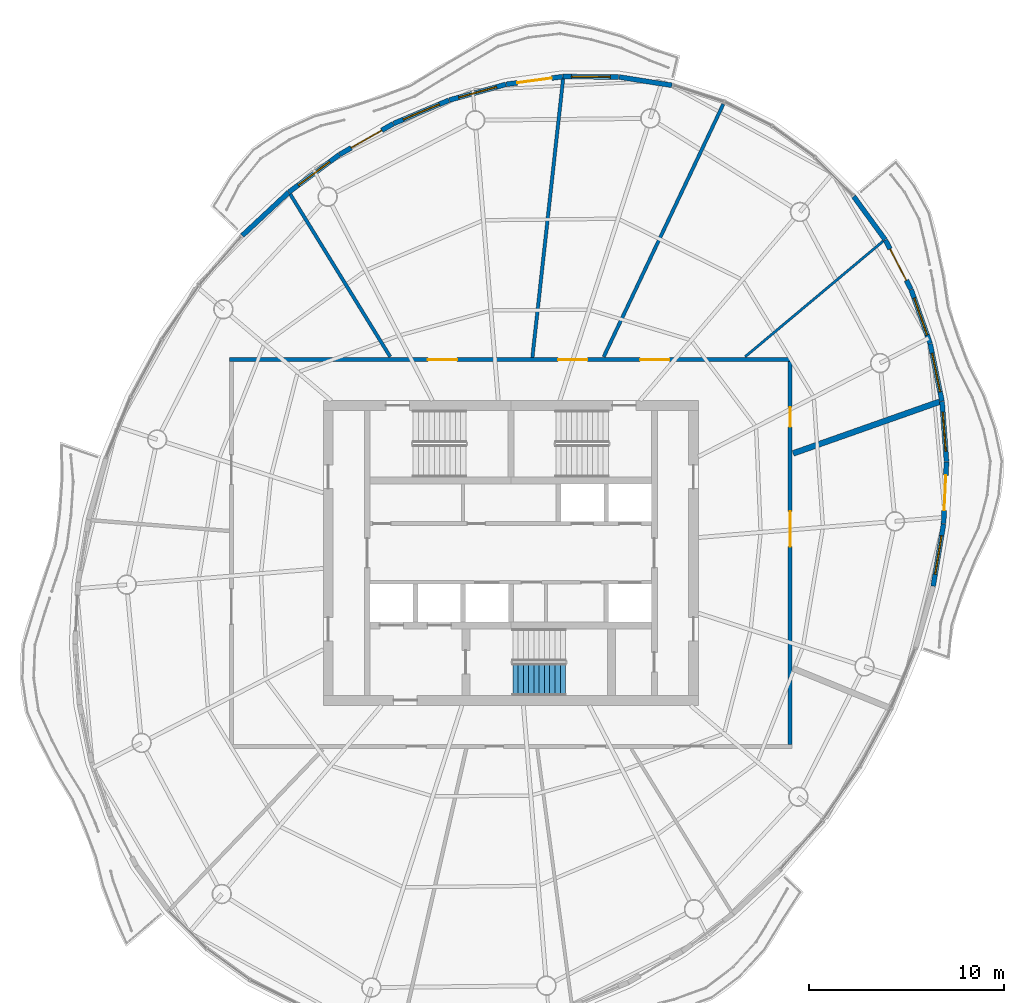
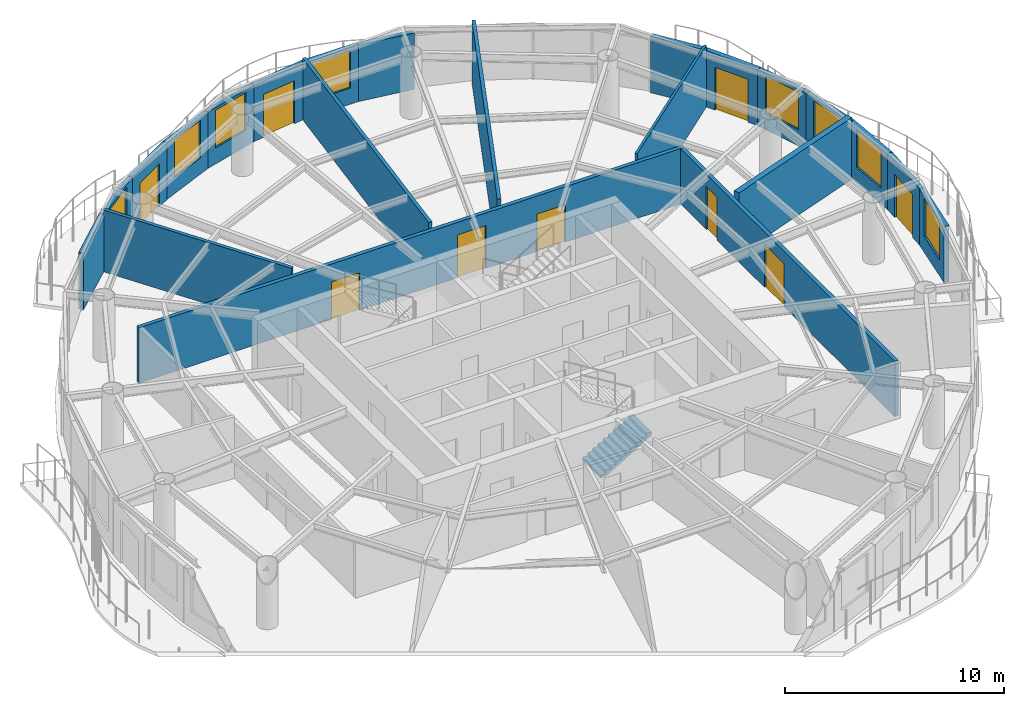
# One storey, part 10 of 14: 22 walls, 9 doors, 8 windows, 1 stair flight, 17 openings, 1 element without a shape of its own.
"""IFC4 building model written with IfcOpenShell, lengths in metres."""

from ifc_helpers import new_model, si_unit, direction, frame, frame_2d, origin, place, context, subcontext, project, spatial, polyline, rectangle, outline, extrude, material, layer, layer_set, type_object, element, fill, aggregate, save


model = new_model("IFC4")

# Units and contexts
model_context = context("Model", 3, precision=1e-05, world=origin(), true_north=direction((0.0, 1.0)))
body_context = subcontext(model_context, "Body", "Model", "MODEL_VIEW")
ifc_project = project(units=[si_unit("LENGTHUNIT", "METRE"), si_unit("AREAUNIT", "SQUARE_METRE"), si_unit("VOLUMEUNIT", "CUBIC_METRE"), si_unit("PLANEANGLEUNIT", "RADIAN"), si_unit("MASSUNIT", "GRAM", prefix="KILO")], contexts=[model_context])

# Site, building, storey
site_placement = place(None, origin())
site = spatial("IfcSite", under=ifc_project, at=site_placement, CompositionType="ELEMENT")
building_placement = place(site_placement, origin())
building = spatial("IfcBuilding", under=site, at=building_placement, Name="Vermilion Reach Broadcast Tower", CompositionType="ELEMENT")
storey_placement = place(building_placement, frame((0.0, 0.0, 268.5)))
storey = spatial("IfcBuildingStorey", under=building, at=storey_placement, Name="L66", CompositionType="ELEMENT", Elevation=268.5)

# Walls
ifc_material_1 = material(Name="Fire-rated plasterboard on steel stud", Category="steel")
ifc_layer_1 = layer(ifc_material_1, 0.125)
ifc_layer_set_1 = layer_set([ifc_layer_1], Name="Partition 125 fire-rated stud")
wall_type_1 = type_object("IfcWallType", Name="Partition 125 fire-rated stud", PredefinedType="PARTITIONING", material=ifc_layer_set_1)
wall_1_placement = place(storey_placement, frame((13.060791015625, 15.965087890625, 0.0), z_axis=(0.0, 0.0, 1.0), x_axis=(-0.766607537876, -0.642115941923, 0.0)))
element("IfcWall", 1, at=wall_1_placement, inside=storey, type_object=wall_type_1, Name="Partition 66.11", PredefinedType="PARTITIONING", context=body_context, shape_type="SweptSolid", body=[
    extrude(rectangle(XDim=9.21533203125, YDim=0.125, at=frame_2d((4.607666015625, 0.0))), origin(), (0.0, 0.0, 1.0), 3.449951171875),
])
ifc_material_2 = material(Name="Fire-rated block, plastered")
ifc_layer_2 = layer(ifc_material_2, 0.175048828125)
ifc_layer_set_2 = layer_set([ifc_layer_2], Name="Partition 175 fire-rated block")
wall_type_2 = type_object("IfcWallType", Name="Partition 175 fire-rated block", PredefinedType="PARTITIONING", material=ifc_layer_set_2)
wall_2_placement = place(storey_placement, frame((4.875732421875, 22.97412109375, 0.0), z_axis=(0.0, 0.0, 1.0), x_axis=(-0.427862697132, -0.903843743356, 0.0)))
element("IfcWall", 2, at=wall_2_placement, inside=storey, type_object=wall_type_2, Name="Partition 66.01", PredefinedType="PARTITIONING", context=body_context, shape_type="SweptSolid", body=[
    extrude(rectangle(XDim=14.31298828125, YDim=0.175048828125, at=frame_2d((7.156494140625, 0.0))), origin(), (0.0, 0.0, 1.0), 3.449951171875),
])
wall_3_placement = place(storey_placement, frame((-3.324951171875, 24.2626953125, 0.0), z_axis=(0.0, 0.0, 1.0), x_axis=(-0.109594321607, -0.99397640046, 0.0)))
element("IfcWall", 3, at=wall_3_placement, inside=storey, type_object=wall_type_2, Name="Partition 66.02", PredefinedType="PARTITIONING", context=body_context, shape_type="SweptSolid", body=[
    extrude(rectangle(XDim=14.339599609375, YDim=0.175048828125, at=frame_2d((7.169921875, 0.0))), origin(), (0.0, 0.0, 1.0), 3.449951171875),
])
wall_4_placement = place(storey_placement, frame((-17.294189453125, 18.36865234375, 0.0), z_axis=(0.0, 0.0, 1.0), x_axis=(0.523780906065, -0.851853016924, 0.0)))
element("IfcWall", 4, at=wall_4_placement, inside=storey, type_object=wall_type_2, Name="Partition 66.03", PredefinedType="PARTITIONING", context=body_context, shape_type="SweptSolid", body=[
    extrude(rectangle(XDim=9.770263671875, YDim=0.175048828125, at=frame_2d((4.88525390625, 0.0))), origin(), (0.0, 0.0, 1.0), 3.449951171875),
])
ifc_material_3 = material(Name="Double-leaf plasterboard on isolated steel stud", Category="steel")
ifc_layer_3 = layer(ifc_material_3, 0.300048828125)
ifc_layer_set_3 = layer_set([ifc_layer_3], Name="Partition 300 acoustic double leaf")
wall_type_3 = type_object("IfcWallType", Name="Partition 300 acoustic double leaf", PredefinedType="PARTITIONING", material=ifc_layer_set_3)
wall_5_placement = place(storey_placement, frame((15.94921875, 7.74365234375, 0.0), z_axis=(0.0, 0.0, 1.0), x_axis=(-0.943031701319, -0.332702885933, 0.0)))
element("IfcWall", 5, at=wall_5_placement, inside=storey, type_object=wall_type_3, Name="Partition 66.10", PredefinedType="PARTITIONING", context=body_context, shape_type="SweptSolid", body=[
    extrude(rectangle(XDim=7.952392578125, YDim=0.300048828125, at=frame_2d((3.97607421875, 0.0))), origin(), (0.0, 0.0, 1.0), 3.449951171875),
])
ifc_material_4 = material(Name="Terracotta rainscreen cladding", Category="masonry")
ifc_layer_4 = layer(ifc_material_4, 0.25)
ifc_layer_set_4 = layer_set([ifc_layer_4], Name="Terracotta rainscreen wall 250")
wall_type_4 = type_object("IfcWallType", Name="Terracotta rainscreen wall 250", PredefinedType="SOLIDWALL", material=ifc_layer_set_4)
wall_6_placement = place(storey_placement, frame((2.244140625, 23.94091796875, 0.0), z_axis=(0.0, 0.0, 1.0), x_axis=(-0.987863424028, 0.155324999492, 0.0)))
element("IfcWall", 6, at=wall_6_placement, inside=storey, type_object=wall_type_4, Name="External wall L66 02", PredefinedType="SOLIDWALL", context=body_context, shape_type="SweptSolid", body=[
    extrude(rectangle(XDim=2.7333984375, YDim=0.25, at=frame_2d((1.36669921875, 0.0))), origin(), (0.0, 0.0, 1.0), 3.14990234375),
])

# Wall, opening, window
wall_7_placement = place(storey_placement, frame((-0.482421875, 24.36767578125, 0.0), z_axis=(0.0, 0.0, 1.0), x_axis=(-0.999975721993, 0.006968172185, 0.0)))
wall_7 = element("IfcWall", 7, at=wall_7_placement, inside=storey, type_object=wall_type_4, Name="External wall L66 03", PredefinedType="SOLIDWALL", context=body_context, shape_type="SweptSolid", body=[
    extrude(rectangle(XDim=2.837890625, YDim=0.25, at=frame_2d((1.4189453125, 0.0))), origin(), (0.0, 0.0, 1.0), 3.14990234375),
])
opening_1_placement = place(wall_7_placement, frame((0.4189453125, 0.0, 0.89990234375)))
opening_1 = element("IfcOpeningElement", 8, at=opening_1_placement, cuts=wall_7, Name="Opening W03", PredefinedType="OPENING", context=body_context, shape_type="SweptSolid", body=[
    extrude(rectangle(XDim=2.0, YDim=2.10009765625, at=frame_2d((1.0, 1.050048828125))), frame((0.0, 0.135009765625, 0.0), z_axis=(0.0, -1.0, 0.0), x_axis=(1.0, 0.0, 0.0)), (0.0, 0.0, 1.0), 0.27001953125),
])
ifc_material_5 = material(Name="Low-e laminated clear glass in aluminium frame", Category="aluminium")
window_type = type_object("IfcWindowType", Name="Punched window 2000 x 2100 sill 900", PartitioningType="SINGLE_PANEL", PredefinedType="WINDOW", material=ifc_material_5)
window_1_placement = place(opening_1_placement, origin())
window_1 = element("IfcWindow", 9, at=window_1_placement, inside=storey, type_object=window_type, Name="Window L66 03", OverallHeight=2.10009765625, OverallWidth=2.0, PartitioningType="SINGLE_PANEL", PredefinedType="WINDOW", context=body_context, shape_type="SweptSolid", body=[
    extrude(rectangle(XDim=2.0, YDim=2.10009765625, at=frame_2d((1.0, 1.050048828125))), frame((0.0, 0.030029296875, 0.0), z_axis=(0.0, -1.0, 0.0), x_axis=(1.0, 0.0, 0.0)), (0.0, 0.0, 1.0), 0.06005859375),
])
fill(opening_1, window_1)

# Wall, opening, door
wall_8_placement = place(storey_placement, frame((-3.345947265625, 24.3857421875, 0.0), z_axis=(0.0, 0.0, 1.0), x_axis=(-0.990855140329, -0.134929948061, 0.0)))
wall_8 = element("IfcWall", 10, at=wall_8_placement, inside=storey, type_object=wall_type_4, Name="External wall L66 04", PredefinedType="SOLIDWALL", context=body_context, shape_type="SweptSolid", body=[
    extrude(rectangle(XDim=2.9130859375, YDim=0.25, at=frame_2d((1.45654296875, 0.0))), origin(), (0.0, 0.0, 1.0), 3.14990234375),
])
opening_2_placement = place(wall_8_placement, frame((0.556884765625, 0.0, 0.0)))
opening_2 = element("IfcOpeningElement", 11, at=opening_2_placement, cuts=wall_8, Name="Opening D70", PredefinedType="OPENING", context=body_context, shape_type="SweptSolid", body=[
    extrude(rectangle(XDim=1.800048828125, YDim=2.39990234375, at=frame_2d((0.89990234375, 1.199951171875))), frame((0.0, 0.135009765625, 0.0), z_axis=(0.0, -1.0, 0.0), x_axis=(1.0, 0.0, 0.0)), (0.0, 0.0, 1.0), 0.27001953125),
])
ifc_material_6 = material(Name="Low-e laminated clear glass in aluminium frame", Category="aluminium")
door_type_1 = type_object("IfcDoorType", Name="Balcony sliding door 1800 x 2400", OperationType="DOUBLE_DOOR_SLIDING", PredefinedType="DOOR", material=ifc_material_6)
door_1_placement = place(opening_2_placement, origin())
door_1 = element("IfcDoor", 12, at=door_1_placement, inside=storey, type_object=door_type_1, Name="Balcony door L66 run 01", OperationType="DOUBLE_DOOR_SLIDING", OverallHeight=2.39990234375, OverallWidth=1.800048828125, PredefinedType="DOOR", context=body_context, shape_type="SweptSolid", body=[
    extrude(rectangle(XDim=1.800048828125, YDim=2.39990234375, at=frame_2d((0.89990234375, 1.199951171875))), frame((0.0, 0.02490234375, 0.0), z_axis=(0.0, -1.0, 0.0), x_axis=(1.0, 0.0, 0.0)), (0.0, 0.0, 1.0), 0.050048828125),
])
fill(opening_2, door_1)

# Wall, opening, window
wall_9_placement = place(storey_placement, frame((-6.2568359375, 23.987548828125, 0.0), z_axis=(0.0, 0.0, 1.0), x_axis=(-0.963614779494, -0.267294887231, 0.0)))
wall_9 = element("IfcWall", 13, at=wall_9_placement, inside=storey, type_object=wall_type_4, Name="External wall L66 05", PredefinedType="SOLIDWALL", context=body_context, shape_type="SweptSolid", body=[
    extrude(rectangle(XDim=2.994873046875, YDim=0.25, at=frame_2d((1.49755859375, 0.0))), origin(), (0.0, 0.0, 1.0), 3.14990234375),
])
opening_3_placement = place(wall_9_placement, frame((0.49755859375, 0.0, 0.89990234375)))
opening_3 = element("IfcOpeningElement", 14, at=opening_3_placement, cuts=wall_9, Name="Opening W03", PredefinedType="OPENING", context=body_context, shape_type="SweptSolid", body=[
    extrude(rectangle(XDim=2.0, YDim=2.10009765625, at=frame_2d((1.0, 1.050048828125))), frame((0.0, 0.135009765625, 0.0), z_axis=(0.0, -1.0, 0.0), x_axis=(1.0, 0.0, 0.0)), (0.0, 0.0, 1.0), 0.27001953125),
])
window_2_placement = place(opening_3_placement, origin())
window_2 = element("IfcWindow", 15, at=window_2_placement, inside=storey, type_object=window_type, Name="Window L66 05", OverallHeight=2.10009765625, OverallWidth=2.0, PartitioningType="SINGLE_PANEL", PredefinedType="WINDOW", context=body_context, shape_type="SweptSolid", body=[
    extrude(rectangle(XDim=2.0, YDim=2.10009765625, at=frame_2d((1.0, 1.050048828125))), frame((0.0, 0.030029296875, 0.0), z_axis=(0.0, -1.0, 0.0), x_axis=(1.0, 0.0, 0.0)), (0.0, 0.0, 1.0), 0.06005859375),
])
fill(opening_3, window_2)

wall_10_placement = place(storey_placement, frame((-9.16552734375, 23.17919921875, 0.0), z_axis=(0.0, 0.0, 1.0), x_axis=(-0.921479990726, -0.388425831648, 0.0)))
wall_10 = element("IfcWall", 16, at=wall_10_placement, inside=storey, type_object=wall_type_4, Name="External wall L66 06", PredefinedType="SOLIDWALL", context=body_context, shape_type="SweptSolid", body=[
    extrude(rectangle(XDim=3.077392578125, YDim=0.25, at=frame_2d((1.53857421875, 0.0))), origin(), (0.0, 0.0, 1.0), 3.14990234375),
])
opening_4_placement = place(wall_10_placement, frame((0.53857421875, 0.0, 0.89990234375)))
opening_4 = element("IfcOpeningElement", 17, at=opening_4_placement, cuts=wall_10, Name="Opening W03", PredefinedType="OPENING", context=body_context, shape_type="SweptSolid", body=[
    extrude(rectangle(XDim=2.0, YDim=2.10009765625, at=frame_2d((1.0, 1.050048828125))), frame((0.0, 0.135009765625, 0.0), z_axis=(0.0, -1.0, 0.0), x_axis=(1.0, 0.0, 0.0)), (0.0, 0.0, 1.0), 0.27001953125),
])
window_3_placement = place(opening_4_placement, origin())
window_3 = element("IfcWindow", 18, at=window_3_placement, inside=storey, type_object=window_type, Name="Window L66 06", OverallHeight=2.10009765625, OverallWidth=2.0, PartitioningType="SINGLE_PANEL", PredefinedType="WINDOW", context=body_context, shape_type="SweptSolid", body=[
    extrude(rectangle(XDim=2.0, YDim=2.10009765625, at=frame_2d((1.0, 1.050048828125))), frame((0.0, 0.030029296875, 0.0), z_axis=(0.0, -1.0, 0.0), x_axis=(1.0, 0.0, 0.0)), (0.0, 0.0, 1.0), 0.06005859375),
])
fill(opening_4, window_3)

# Wall, opening, door
wall_11_placement = place(storey_placement, frame((-12.02197265625, 21.9736328125, 0.0), z_axis=(0.0, 0.0, 1.0), x_axis=(-0.867241340308, -0.497887997104, 0.0)))
wall_11 = element("IfcWall", 19, at=wall_11_placement, inside=storey, type_object=wall_type_4, Name="External wall L66 07", PredefinedType="SOLIDWALL", context=body_context, shape_type="SweptSolid", body=[
    extrude(rectangle(XDim=3.155029296875, YDim=0.25, at=frame_2d((1.57763671875, 0.0))), origin(), (0.0, 0.0, 1.0), 3.14990234375),
])
opening_5_placement = place(wall_11_placement, frame((0.677001953125, 0.0, 0.0)))
opening_5 = element("IfcOpeningElement", 20, at=opening_5_placement, cuts=wall_11, Name="Opening D70", PredefinedType="OPENING", context=body_context, shape_type="SweptSolid", body=[
    extrude(rectangle(XDim=1.800048828125, YDim=2.39990234375, at=frame_2d((0.89990234375, 1.199951171875))), frame((0.0, 0.135009765625, 0.0), z_axis=(0.0, -1.0, 0.0), x_axis=(1.0, 0.0, 0.0)), (0.0, 0.0, 1.0), 0.27001953125),
])
door_2_placement = place(opening_5_placement, origin())
door_2 = element("IfcDoor", 21, at=door_2_placement, inside=storey, type_object=door_type_1, Name="Balcony door L66 run 02", OperationType="DOUBLE_DOOR_SLIDING", OverallHeight=2.39990234375, OverallWidth=1.800048828125, PredefinedType="DOOR", context=body_context, shape_type="SweptSolid", body=[
    extrude(rectangle(XDim=1.800048828125, YDim=2.39990234375, at=frame_2d((0.89990234375, 1.199951171875))), frame((0.0, 0.02490234375, 0.0), z_axis=(0.0, -1.0, 0.0), x_axis=(1.0, 0.0, 0.0)), (0.0, 0.0, 1.0), 0.050048828125),
])
fill(opening_5, door_2)

# Wall, opening, window
wall_12_placement = place(storey_placement, frame((-14.77685546875, 20.390625, 0.0), z_axis=(0.0, 0.0, 1.0), x_axis=(-0.803243022616, -0.595651447256, 0.0)))
wall_12 = element("IfcWall", 22, at=wall_12_placement, inside=storey, type_object=wall_type_4, Name="External wall L66 08", PredefinedType="SOLIDWALL", context=body_context, shape_type="SweptSolid", body=[
    extrude(rectangle(XDim=3.222412109375, YDim=0.25, at=frame_2d((1.611328125, 0.0))), origin(), (0.0, 0.0, 1.0), 3.14990234375),
])
opening_6_placement = place(wall_12_placement, frame((0.611083984375, 0.0, 0.89990234375)))
opening_6 = element("IfcOpeningElement", 23, at=opening_6_placement, cuts=wall_12, Name="Opening W03", PredefinedType="OPENING", context=body_context, shape_type="SweptSolid", body=[
    extrude(rectangle(XDim=2.0, YDim=2.10009765625, at=frame_2d((1.0, 1.050048828125))), frame((0.0, 0.135009765625, 0.0), z_axis=(0.0, -1.0, 0.0), x_axis=(1.0, 0.0, 0.0)), (0.0, 0.0, 1.0), 0.27001953125),
])
window_4_placement = place(opening_6_placement, origin())
window_4 = element("IfcWindow", 24, at=window_4_placement, inside=storey, type_object=window_type, Name="Window L66 08", OverallHeight=2.10009765625, OverallWidth=2.0, PartitioningType="SINGLE_PANEL", PredefinedType="WINDOW", context=body_context, shape_type="SweptSolid", body=[
    extrude(rectangle(XDim=2.0, YDim=2.10009765625, at=frame_2d((1.0, 1.050048828125))), frame((0.0, 0.030029296875, 0.0), z_axis=(0.0, -1.0, 0.0), x_axis=(1.0, 0.0, 0.0)), (0.0, 0.0, 1.0), 0.06005859375),
])
fill(opening_6, window_4)

# Wall
wall_13_placement = place(storey_placement, frame((-17.38232421875, 18.45703125, 0.0), z_axis=(0.0, 0.0, 1.0), x_axis=(-0.731190882078, -0.682172920868, 0.0)))
element("IfcWall", 25, at=wall_13_placement, inside=storey, type_object=wall_type_4, Name="External wall L66 09", PredefinedType="SOLIDWALL", context=body_context, shape_type="SweptSolid", body=[
    extrude(rectangle(XDim=3.232421875, YDim=0.25, at=frame_2d((1.6162109375, 0.0))), origin(), (0.0, 0.0, 1.0), 3.14990234375),
])

# Wall, opening, window
wall_14_placement = place(storey_placement, frame((15.621337890625, -1.695556640625, 0.0), z_axis=(0.0, 0.0, 1.0), x_axis=(0.163956663746, 0.986467542504, 0.0)))
wall_14 = element("IfcWall", 26, at=wall_14_placement, inside=storey, type_object=wall_type_4, Name="External wall L66 39", PredefinedType="SOLIDWALL", context=body_context, shape_type="SweptSolid", body=[
    extrude(rectangle(XDim=3.222412109375, YDim=0.25, at=frame_2d((1.611328125, 0.0))), origin(), (0.0, 0.0, 1.0), 3.14990234375),
])
opening_7_placement = place(wall_14_placement, frame((0.611083984375, 0.0, 0.89990234375)))
opening_7 = element("IfcOpeningElement", 27, at=opening_7_placement, cuts=wall_14, Name="Opening W03", PredefinedType="OPENING", context=body_context, shape_type="SweptSolid", body=[
    extrude(rectangle(XDim=2.0, YDim=2.10009765625, at=frame_2d((1.0, 1.050048828125))), frame((0.0, 0.135009765625, 0.0), z_axis=(0.0, -1.0, 0.0), x_axis=(1.0, 0.0, 0.0)), (0.0, 0.0, 1.0), 0.27001953125),
])
window_5_placement = place(opening_7_placement, origin())
window_5 = element("IfcWindow", 28, at=window_5_placement, inside=storey, type_object=window_type, Name="Window L66 39", OverallHeight=2.10009765625, OverallWidth=2.0, PartitioningType="SINGLE_PANEL", PredefinedType="WINDOW", context=body_context, shape_type="SweptSolid", body=[
    extrude(rectangle(XDim=2.0, YDim=2.10009765625, at=frame_2d((1.0, 1.050048828125))), frame((0.0, 0.030029296875, 0.0), z_axis=(0.0, -1.0, 0.0), x_axis=(1.0, 0.0, 0.0)), (0.0, 0.0, 1.0), 0.06005859375),
])
fill(opening_7, window_5)

# Wall, opening, door
wall_15_placement = place(storey_placement, frame((16.152099609375, 1.505615234375, 0.0), z_axis=(0.0, 0.0, 1.0), x_axis=(0.047748991173, 0.998859366398, 0.0)))
wall_15 = element("IfcWall", 29, at=wall_15_placement, inside=storey, type_object=wall_type_4, Name="External wall L66 40", PredefinedType="SOLIDWALL", context=body_context, shape_type="SweptSolid", body=[
    extrude(rectangle(XDim=3.15478515625, YDim=0.25, at=frame_2d((1.577392578125, 0.0))), origin(), (0.0, 0.0, 1.0), 3.14990234375),
])
opening_8_placement = place(wall_15_placement, frame((0.677001953125, 0.0, 0.0)))
opening_8 = element("IfcOpeningElement", 30, at=opening_8_placement, cuts=wall_15, Name="Opening D70", PredefinedType="OPENING", context=body_context, shape_type="SweptSolid", body=[
    extrude(rectangle(XDim=1.800048828125, YDim=2.39990234375, at=frame_2d((0.89990234375, 1.199951171875))), frame((0.0, 0.135009765625, 0.0), z_axis=(0.0, -1.0, 0.0), x_axis=(1.0, 0.0, 0.0)), (0.0, 0.0, 1.0), 0.27001953125),
])
door_3_placement = place(opening_8_placement, origin())
door_3 = element("IfcDoor", 31, at=door_3_placement, inside=storey, type_object=door_type_1, Name="Balcony door L66 run 10", OperationType="DOUBLE_DOOR_SLIDING", OverallHeight=2.39990234375, OverallWidth=1.800048828125, PredefinedType="DOOR", context=body_context, shape_type="SweptSolid", body=[
    extrude(rectangle(XDim=1.800048828125, YDim=2.39990234375, at=frame_2d((0.89990234375, 1.199951171875))), frame((0.0, 0.02490234375, 0.0), z_axis=(0.0, -1.0, 0.0), x_axis=(1.0, 0.0, 0.0)), (0.0, 0.0, 1.0), 0.050048828125),
])
fill(opening_8, door_3)

# Wall, opening, window
wall_16_placement = place(storey_placement, frame((16.302490234375, 4.679931640625, 0.0), z_axis=(0.0, 0.0, 1.0), x_axis=(-0.074336319404, 0.997233228296, 0.0)))
wall_16 = element("IfcWall", 32, at=wall_16_placement, inside=storey, type_object=wall_type_4, Name="External wall L66 41", PredefinedType="SOLIDWALL", context=body_context, shape_type="SweptSolid", body=[
    extrude(rectangle(XDim=3.077392578125, YDim=0.25, at=frame_2d((1.53857421875, 0.0))), origin(), (0.0, 0.0, 1.0), 3.14990234375),
])
opening_9_placement = place(wall_16_placement, frame((0.53857421875, 0.0, 0.89990234375)))
opening_9 = element("IfcOpeningElement", 33, at=opening_9_placement, cuts=wall_16, Name="Opening W03", PredefinedType="OPENING", context=body_context, shape_type="SweptSolid", body=[
    extrude(rectangle(XDim=2.0, YDim=2.10009765625, at=frame_2d((1.0, 1.050048828125))), frame((0.0, 0.135009765625, 0.0), z_axis=(0.0, -1.0, 0.0), x_axis=(1.0, 0.0, 0.0)), (0.0, 0.0, 1.0), 0.27001953125),
])
window_6_placement = place(opening_9_placement, origin())
window_6 = element("IfcWindow", 34, at=window_6_placement, inside=storey, type_object=window_type, Name="Window L66 41", OverallHeight=2.10009765625, OverallWidth=2.0, PartitioningType="SINGLE_PANEL", PredefinedType="WINDOW", context=body_context, shape_type="SweptSolid", body=[
    extrude(rectangle(XDim=2.0, YDim=2.10009765625, at=frame_2d((1.0, 1.050048828125))), frame((0.0, 0.030029296875, 0.0), z_axis=(0.0, -1.0, 0.0), x_axis=(1.0, 0.0, 0.0)), (0.0, 0.0, 1.0), 0.06005859375),
])
fill(opening_9, window_6)

wall_17_placement = place(storey_placement, frame((16.070556640625, 7.772705078125, 0.0), z_axis=(0.0, 0.0, 1.0), x_axis=(-0.201427510103, 0.979503424279, 0.0)))
wall_17 = element("IfcWall", 35, at=wall_17_placement, inside=storey, type_object=wall_type_4, Name="External wall L66 42", PredefinedType="SOLIDWALL", context=body_context, shape_type="SweptSolid", body=[
    extrude(rectangle(XDim=2.994873046875, YDim=0.25, at=frame_2d((1.49755859375, 0.0))), origin(), (0.0, 0.0, 1.0), 3.14990234375),
])
opening_10_placement = place(wall_17_placement, frame((0.49755859375, 0.0, 0.89990234375)))
opening_10 = element("IfcOpeningElement", 36, at=opening_10_placement, cuts=wall_17, Name="Opening W03", PredefinedType="OPENING", context=body_context, shape_type="SweptSolid", body=[
    extrude(rectangle(XDim=2.0, YDim=2.10009765625, at=frame_2d((1.0, 1.050048828125))), frame((0.0, 0.135009765625, 0.0), z_axis=(0.0, -1.0, 0.0), x_axis=(1.0, 0.0, 0.0)), (0.0, 0.0, 1.0), 0.27001953125),
])
window_7_placement = place(opening_10_placement, origin())
window_7 = element("IfcWindow", 37, at=window_7_placement, inside=storey, type_object=window_type, Name="Window L66 42", OverallHeight=2.10009765625, OverallWidth=2.0, PartitioningType="SINGLE_PANEL", PredefinedType="WINDOW", context=body_context, shape_type="SweptSolid", body=[
    extrude(rectangle(XDim=2.0, YDim=2.10009765625, at=frame_2d((1.0, 1.050048828125))), frame((0.0, 0.030029296875, 0.0), z_axis=(0.0, -1.0, 0.0), x_axis=(1.0, 0.0, 0.0)), (0.0, 0.0, 1.0), 0.06005859375),
])
fill(opening_10, window_7)

wall_18_placement = place(storey_placement, frame((15.460693359375, 10.730224609375, 0.0), z_axis=(0.0, 0.0, 1.0), x_axis=(-0.331522283712, 0.943447388784, 0.0)))
wall_18 = element("IfcWall", 38, at=wall_18_placement, inside=storey, type_object=wall_type_4, Name="External wall L66 43", PredefinedType="SOLIDWALL", context=body_context, shape_type="SweptSolid", body=[
    extrude(rectangle(XDim=2.913330078125, YDim=0.25, at=frame_2d((1.45654296875, 0.0))), origin(), (0.0, 0.0, 1.0), 3.14990234375),
])
opening_11_placement = place(wall_18_placement, frame((0.45654296875, 0.0, 0.89990234375)))
opening_11 = element("IfcOpeningElement", 39, at=opening_11_placement, cuts=wall_18, Name="Opening W03", PredefinedType="OPENING", context=body_context, shape_type="SweptSolid", body=[
    extrude(rectangle(XDim=2.0, YDim=2.10009765625, at=frame_2d((1.0, 1.050048828125))), frame((0.0, 0.135009765625, 0.0), z_axis=(0.0, -1.0, 0.0), x_axis=(1.0, 0.0, 0.0)), (0.0, 0.0, 1.0), 0.27001953125),
])
window_8_placement = place(opening_11_placement, origin())
window_8 = element("IfcWindow", 40, at=window_8_placement, inside=storey, type_object=window_type, Name="Window L66 43", OverallHeight=2.10009765625, OverallWidth=2.0, PartitioningType="SINGLE_PANEL", PredefinedType="WINDOW", context=body_context, shape_type="SweptSolid", body=[
    extrude(rectangle(XDim=2.0, YDim=2.10009765625, at=frame_2d((1.0, 1.050048828125))), frame((0.0, 0.030029296875, 0.0), z_axis=(0.0, -1.0, 0.0), x_axis=(1.0, 0.0, 0.0)), (0.0, 0.0, 1.0), 0.06005859375),
])
fill(opening_11, window_8)

# Wall, opening, door
wall_19_placement = place(storey_placement, frame((14.484619140625, 13.502197265625, 0.0), z_axis=(0.0, 0.0, 1.0), x_axis=(-0.462051428088, 0.886853132036, 0.0)))
wall_19 = element("IfcWall", 41, at=wall_19_placement, inside=storey, type_object=wall_type_4, Name="External wall L66 44", PredefinedType="SOLIDWALL", context=body_context, shape_type="SweptSolid", body=[
    extrude(rectangle(XDim=2.837890625, YDim=0.25, at=frame_2d((1.4189453125, 0.0))), origin(), (0.0, 0.0, 1.0), 3.14990234375),
])
opening_12_placement = place(wall_19_placement, frame((0.51904296875, 0.0, 0.0)))
opening_12 = element("IfcOpeningElement", 42, at=opening_12_placement, cuts=wall_19, Name="Opening D70", PredefinedType="OPENING", context=body_context, shape_type="SweptSolid", body=[
    extrude(rectangle(XDim=1.800048828125, YDim=2.39990234375, at=frame_2d((0.89990234375, 1.199951171875))), frame((0.0, 0.135009765625, 0.0), z_axis=(0.0, -1.0, 0.0), x_axis=(1.0, 0.0, 0.0)), (0.0, 0.0, 1.0), 0.27001953125),
])
door_4_placement = place(opening_12_placement, origin())
door_4 = element("IfcDoor", 43, at=door_4_placement, inside=storey, type_object=door_type_1, Name="Balcony door L66 run 11", OperationType="DOUBLE_DOOR_SLIDING", OverallHeight=2.39990234375, OverallWidth=1.800048828125, PredefinedType="DOOR", context=body_context, shape_type="SweptSolid", body=[
    extrude(rectangle(XDim=1.800048828125, YDim=2.39990234375, at=frame_2d((0.89990234375, 1.199951171875))), frame((0.0, 0.02490234375, 0.0), z_axis=(0.0, -1.0, 0.0), x_axis=(1.0, 0.0, 0.0)), (0.0, 0.0, 1.0), 0.050048828125),
])
fill(opening_12, door_4)

# Wall
wall_20_placement = place(storey_placement, frame((13.159423828125, 16.04150390625, 0.0), z_axis=(0.0, 0.0, 1.0), x_axis=(-0.588607099097, 0.808419249457, 0.0)))
element("IfcWall", 44, at=wall_20_placement, inside=storey, type_object=wall_type_4, Name="External wall L66 45", PredefinedType="SOLIDWALL", context=body_context, shape_type="SweptSolid", body=[
    extrude(rectangle(XDim=2.7333984375, YDim=0.25, at=frame_2d((1.36669921875, 0.0))), origin(), (0.0, 0.0, 1.0), 3.14990234375),
])

# Wall, openings, doors
ifc_material_7 = material(Name="Fire-rated gypsum board partition")
ifc_layer_5 = layer(ifc_material_7, 0.199951171875)
ifc_layer_set_5 = layer_set([ifc_layer_5], Name="Under girder: Corridor wall 200 fire-rated")
wall_type_5 = type_object("IfcWallType", Name="Under girder: Corridor wall 200 fire-rated", PredefinedType="PARTITIONING", material=ifc_layer_set_5)
wall_21_placement = place(storey_placement, frame((-20.39990234375, 9.89990234375, 0.0), z_axis=(0.0, 0.0, 1.0), x_axis=(1.0, 0.0, 0.0)))
wall_21 = element("IfcWall", 45, at=wall_21_placement, inside=storey, type_object=wall_type_5, Name="Corridor wall 66.N", PredefinedType="PARTITIONING", context=body_context, shape_type="SweptSolid", body=[
    extrude(rectangle(XDim=28.7998046875, YDim=0.199951171875, at=frame_2d((14.39990234375, 0.0))), origin(), (0.0, 0.0, 1.0), 3.10009765625),
])
opening_13_placement = place(wall_21_placement, frame((16.819580078125, 0.0, 0.0)))
opening_13 = element("IfcOpeningElement", 46, at=opening_13_placement, cuts=wall_21, Name="Opening D25", PredefinedType="OPENING", context=body_context, shape_type="SweptSolid", body=[
    extrude(rectangle(XDim=1.5, YDim=2.39990234375, at=frame_2d((0.75, 1.199951171875))), frame((0.0, 0.10986328125, 0.0), z_axis=(0.0, -1.0, 0.0), x_axis=(1.0, 0.0, 0.0)), (0.0, 0.0, 1.0), 0.219970703125),
])
opening_14_placement = place(wall_21_placement, frame((10.151611328125, 0.0, 0.0)))
opening_14 = element("IfcOpeningElement", 47, at=opening_14_placement, cuts=wall_21, Name="Opening D24", PredefinedType="OPENING", context=body_context, shape_type="SweptSolid", body=[
    extrude(rectangle(XDim=1.5, YDim=2.10009765625, at=frame_2d((0.75, 1.050048828125))), frame((0.0, 0.10986328125, 0.0), z_axis=(0.0, -1.0, 0.0), x_axis=(1.0, 0.0, 0.0)), (0.0, 0.0, 1.0), 0.219970703125),
])
opening_15_placement = place(wall_21_placement, frame((21.0205078125, 0.0, 0.0)))
opening_15 = element("IfcOpeningElement", 48, at=opening_15_placement, cuts=wall_21, Name="Opening D24", PredefinedType="OPENING", context=body_context, shape_type="SweptSolid", body=[
    extrude(rectangle(XDim=1.5, YDim=2.10009765625, at=frame_2d((0.75, 1.050048828125))), frame((0.0, 0.10986328125, 0.0), z_axis=(0.0, -1.0, 0.0), x_axis=(1.0, 0.0, 0.0)), (0.0, 0.0, 1.0), 0.219970703125),
])
ifc_material_8 = material(Name="Timber door leaf", Category="wood")
door_type_2 = type_object("IfcDoorType", Name="Door pair 1500x2100", OperationType="NOTDEFINED", PredefinedType="DOOR", material=ifc_material_8)
door_5_placement = place(opening_14_placement, origin())
door_5 = element("IfcDoor", 49, at=door_5_placement, inside=storey, type_object=door_type_2, Name="Door 66.02", OperationType="DOUBLE_DOOR_SINGLE_SWING", OverallHeight=2.10009765625, OverallWidth=1.5, PredefinedType="DOOR", context=body_context, shape_type="SweptSolid", body=[
    extrude(rectangle(XDim=1.5, YDim=2.10009765625, at=frame_2d((0.75, 1.050048828125))), frame((0.0, 0.02490234375, 0.0), z_axis=(0.0, -1.0, 0.0), x_axis=(1.0, 0.0, 0.0)), (0.0, 0.0, 1.0), 0.050048828125),
])
fill(opening_14, door_5)
door_6_placement = place(opening_15_placement, origin())
door_6 = element("IfcDoor", 50, at=door_6_placement, inside=storey, type_object=door_type_2, Name="Door 66.11", OperationType="DOUBLE_DOOR_SINGLE_SWING", OverallHeight=2.10009765625, OverallWidth=1.5, PredefinedType="DOOR", context=body_context, shape_type="SweptSolid", body=[
    extrude(rectangle(XDim=1.5, YDim=2.10009765625, at=frame_2d((0.75, 1.050048828125))), frame((0.0, 0.02490234375, 0.0), z_axis=(0.0, -1.0, 0.0), x_axis=(1.0, 0.0, 0.0)), (0.0, 0.0, 1.0), 0.050048828125),
])
fill(opening_15, door_6)
ifc_material_9 = material(Name="Glazed timber door leaf", Category="wood")
door_type_3 = type_object("IfcDoorType", Name="Door pair 1500x2400", OperationType="NOTDEFINED", PredefinedType="DOOR", material=ifc_material_9)
door_7_placement = place(opening_13_placement, origin())
door_7 = element("IfcDoor", 51, at=door_7_placement, inside=storey, type_object=door_type_3, Name="Door 66.01", OperationType="DOUBLE_DOOR_SINGLE_SWING", OverallHeight=2.39990234375, OverallWidth=1.5, PredefinedType="DOOR", context=body_context, shape_type="SweptSolid", body=[
    extrude(rectangle(XDim=1.5, YDim=2.39990234375, at=frame_2d((0.75, 1.199951171875))), frame((0.0, 0.02490234375, 0.0), z_axis=(0.0, -1.0, 0.0), x_axis=(1.0, 0.0, 0.0)), (0.0, 0.0, 1.0), 0.050048828125),
])
fill(opening_13, door_7)

wall_22_placement = place(storey_placement, frame((8.300048828125, 9.800048828125, 0.0), z_axis=(0.0, 0.0, 1.0), x_axis=(0.0, -1.0, 0.0)))
wall_22 = element("IfcWall", 52, at=wall_22_placement, inside=storey, type_object=wall_type_5, Name="Corridor wall 66.E", PredefinedType="PARTITIONING", context=body_context, shape_type="SweptSolid", body=[
    extrude(rectangle(XDim=19.60009765625, YDim=0.199951171875, at=frame_2d((9.800048828125, 0.0))), origin(), (0.0, 0.0, 1.0), 3.10009765625),
])
opening_16_placement = place(wall_22_placement, frame((7.67138671875, 0.0, 0.0)))
opening_16 = element("IfcOpeningElement", 53, at=opening_16_placement, cuts=wall_22, Name="Opening D27", PredefinedType="OPENING", context=body_context, shape_type="SweptSolid", body=[
    extrude(rectangle(XDim=1.800048828125, YDim=2.39990234375, at=frame_2d((0.89990234375, 1.199951171875))), frame((0.0, 0.10986328125, 0.0), z_axis=(0.0, -1.0, 0.0), x_axis=(1.0, 0.0, 0.0)), (0.0, 0.0, 1.0), 0.219970703125),
])
opening_17_placement = place(wall_22_placement, frame((2.34375, 0.0, 0.0)))
opening_17 = element("IfcOpeningElement", 54, at=opening_17_placement, cuts=wall_22, Name="Opening D23", PredefinedType="OPENING", context=body_context, shape_type="SweptSolid", body=[
    extrude(rectangle(XDim=1.0, YDim=2.39990234375, at=frame_2d((0.5, 1.199951171875))), frame((0.0, 0.10986328125, 0.0), z_axis=(0.0, -1.0, 0.0), x_axis=(1.0, 0.0, 0.0)), (0.0, 0.0, 1.0), 0.219970703125),
])
ifc_material_10 = material(Name="Acoustic timber door leaf", Category="wood")
door_type_4 = type_object("IfcDoorType", Name="Door pair 1800x2400", OperationType="NOTDEFINED", PredefinedType="DOOR", material=ifc_material_10)
door_8_placement = place(opening_16_placement, origin())
door_8 = element("IfcDoor", 55, at=door_8_placement, inside=storey, type_object=door_type_4, Name="Door 66.09", OperationType="DOUBLE_DOOR_SINGLE_SWING", OverallHeight=2.39990234375, OverallWidth=1.800048828125, PredefinedType="DOOR", context=body_context, shape_type="SweptSolid", body=[
    extrude(rectangle(XDim=1.800048828125, YDim=2.39990234375, at=frame_2d((0.89990234375, 1.199951171875))), frame((0.0, 0.02490234375, 0.0), z_axis=(0.0, -1.0, 0.0), x_axis=(1.0, 0.0, 0.0)), (0.0, 0.0, 1.0), 0.050048828125),
])
fill(opening_16, door_8)
ifc_material_11 = material(Name="Veneered timber door leaf", Category="wood")
door_type_5 = type_object("IfcDoorType", Name="Door single 1000x2400", OperationType="NOTDEFINED", PredefinedType="DOOR", material=ifc_material_11)
door_9_placement = place(opening_17_placement, origin())
door_9 = element("IfcDoor", 56, at=door_9_placement, inside=storey, type_object=door_type_5, Name="Door 66.10", OperationType="SINGLE_SWING_RIGHT", OverallHeight=2.39990234375, OverallWidth=1.0, PredefinedType="DOOR", context=body_context, shape_type="SweptSolid", body=[
    extrude(rectangle(XDim=1.0, YDim=2.39990234375, at=frame_2d((0.5, 1.199951171875))), frame((0.0, 0.02490234375, 0.0), z_axis=(0.0, -1.0, 0.0), x_axis=(1.0, 0.0, 0.0)), (0.0, 0.0, 1.0), 0.050048828125),
])
fill(opening_17, door_9)

# Stair, stair flight
ifc_material_12 = material(Name="Concrete C40", Category="concrete")
stair_type = type_object("IfcStairType", Name="Exit stair RC 22 risers 164 mm", PredefinedType="HALF_TURN_STAIR", material=ifc_material_12)
stair_placement = place(storey_placement, origin())
stair = element("IfcStair", 57, at=stair_placement, inside=storey, type_object=stair_type, Name="L66 Exit stair ST3", PredefinedType="HALF_TURN_STAIR")
ifc_material_13 = material(Name="Concrete C40", Category="concrete")
stair_flight_type = type_object("IfcStairFlightType", Name="Exit stair flight RC 11 risers", PredefinedType="STRAIGHT", material=ifc_material_13)
stair_flight_placement = place(storey_placement, frame((-5.89990234375, -6.469970703125, 0.0), z_axis=(0.0, 0.0, 1.0), x_axis=(1.0, 0.0, 0.0)))
stair_flight = element("IfcStairFlight", 58, at=stair_flight_placement, type_object=stair_flight_type, Name="ST3 flight 1", NumberOfRisers=11, NumberOfTreads=10, PredefinedType="STRAIGHT", RiserHeight=0.163636364, TreadLength=0.27, context=body_context, shape_type="SweptSolid", body=[
    extrude(outline(polyline([(0.0, 0.0), (0.0, 0.16357421875), (0.27001953125, 0.16357421875), (0.27001953125, 0.327392578125), (0.5400390625, 0.327392578125), (0.5400390625, 0.490966796875), (0.81005859375, 0.490966796875), (0.81005859375, 0.654541015625), (1.080078125, 0.654541015625), (1.080078125, 0.818115234375), (1.35009765625, 0.818115234375), (1.35009765625, 0.98193359375), (1.6201171875, 0.98193359375), (1.6201171875, 1.1455078125), (1.889892578125, 1.1455078125), (1.889892578125, 1.30908203125), (2.159912109375, 1.30908203125), (2.159912109375, 1.47265625), (2.429931640625, 1.47265625), (2.429931640625, 1.636474609375), (2.699951171875, 1.636474609375), (2.699951171875, 1.800048828125), (2.699951171875, 1.461181640625), (0.289306640625, 0.0), (0.0, 0.0)])), frame((0.0, 0.830078125, 0.0), z_axis=(0.0, -1.0, 0.0), x_axis=(1.0, 0.0, 0.0)), (0.0, 0.0, 1.0), 1.659912109375),
])
aggregate(stair, [stair_flight])

save(model, "model.ifc")
